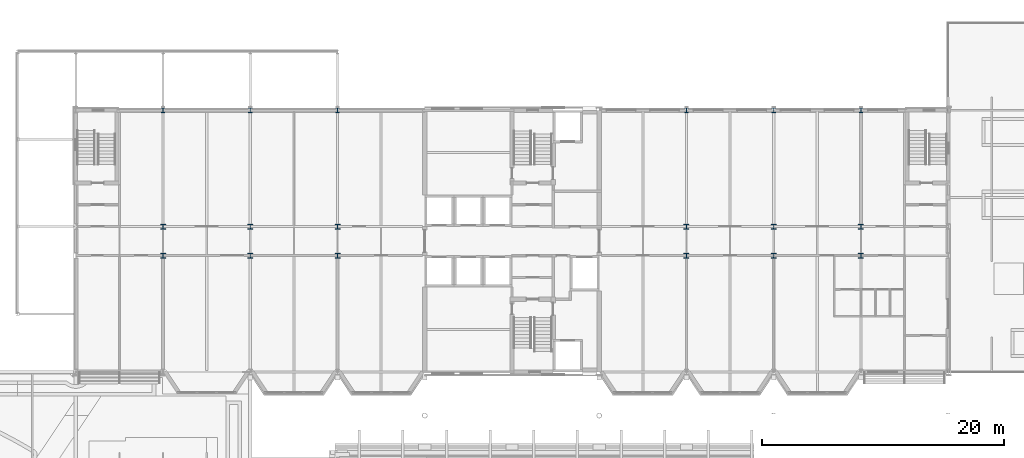
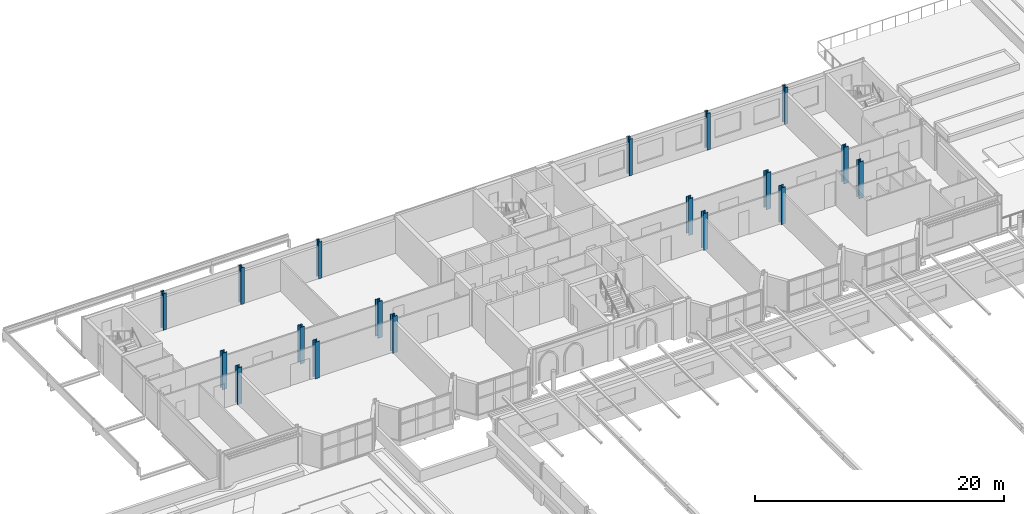
# One storey, part 10 of 110: 18 columns.
"""IFC4 building model written with IfcOpenShell, lengths in metres."""

from ifc_helpers import new_model, si_unit, direction, frame, origin, origin_2d, place, context, subcontext, project, spatial, i_section, extrude, material, material_profile, profile_set, type_object, element, save


model = new_model("IFC4")

# Units and contexts
model_context = context("Model", 3, precision=1e-05, world=origin(), true_north=direction((0.0, 1.0)))
body_context = subcontext(model_context, "Body", "Model", "MODEL_VIEW")
ifc_project = project(units=[si_unit("LENGTHUNIT", "METRE"), si_unit("AREAUNIT", "SQUARE_METRE"), si_unit("VOLUMEUNIT", "CUBIC_METRE"), si_unit("PLANEANGLEUNIT", "RADIAN"), si_unit("MASSUNIT", "GRAM", prefix="KILO")], contexts=[model_context])

# Site, building, storey
site_placement = place(None, origin())
site = spatial("IfcSite", under=ifc_project, at=site_placement, CompositionType="ELEMENT")
building_placement = place(site_placement, origin())
building = spatial("IfcBuilding", under=site, at=building_placement, Name="Kupolbacken Congress Centre", CompositionType="ELEMENT")
storey_placement = place(building_placement, frame((0.0, 0.0, 18.0)))
storey = spatial("IfcBuildingStorey", under=building, at=storey_placement, Name="L05", CompositionType="ELEMENT", Elevation=18.0)

# Columns
ifc_material_1 = material(Name="Steel S355", Category="steel")
ifc_material_profile_1 = material_profile(ifc_material_1, i_section(OverallWidth=0.408935546875, OverallDepth=0.425048828125, WebThickness=0.03271484375, FlangeThickness=0.052490234375, FilletRadius=0.014892578125, at=origin_2d()), Name="HD 400 x 421")
ifc_profile_set_1 = profile_set([ifc_material_profile_1], Name="Steel S355")
column_type_1 = type_object("IfcColumnType", Name="C01 column HD 400 x 421", PredefinedType="COLUMN", material=ifc_profile_set_1)
for number, where, z_axis, x_axis, name in (
    (1, (72.0, 132.0, 0.0), (0.0, 0.0, 1.0), (1.0, 0.0, 0.0), "S/col/C-T-11U+2400/L05"),
    (2, (72.0, 134.39990234375, 0.0), (0.0, 0.0, 1.0), (1.0, 0.0, 0.0), "S/col/C-T-11U+4800/L05"),
    (3, (79.199951171875, 132.0, 0.0), (0.0, 0.0, 1.0), (1.0, 0.0, 0.0), "S/col/C-T-12U+2400/L05"),
    (4, (79.199951171875, 134.39990234375, 0.0), (0.0, 0.0, 1.0), (1.0, 0.0, 0.0), "S/col/C-T-12U+4800/L05"),
    (5, (86.39990234375, 132.0, 0.0), (0.0, 0.0, 1.0), (1.0, 0.0, 0.0), "S/col/C-T-13U+2400/L05"),
    (6, (86.39990234375, 134.39990234375, 0.0), (0.0, 0.0, 1.0), (1.0, 0.0, 0.0), "S/col/C-T-13U+4800/L05"),
    (7, (115.199951171875, 132.0, 0.0), (0.0, 0.0, 1.0), (1.0, 0.0, 0.0), "S/col/C-T-17U+2400/L05"),
    (8, (115.199951171875, 134.39990234375, 0.0), (0.0, 0.0, 1.0), (1.0, 0.0, 0.0), "S/col/C-T-17U+4800/L05"),
    (9, (122.39990234375, 132.0, 0.0), (0.0, 0.0, 1.0), (1.0, 0.0, 0.0), "S/col/C-T-18U+2400/L05"),
    (10, (122.39990234375, 134.39990234375, 0.0), (0.0, 0.0, 1.0), (1.0, 0.0, 0.0), "S/col/C-T-18U+4800/L05"),
    (11, (129.60009765625, 132.0, 0.0), (0.0, 0.0, 1.0), (1.0, 0.0, 0.0), "S/col/C-T-19U+2400/L05"),
    (12, (129.60009765625, 134.39990234375, 0.0), (0.0, 0.0, 1.0), (1.0, 0.0, 0.0), "S/col/C-T-19U+4800/L05"),
):
    element("IfcColumn", number, at=place(storey_placement, frame(where, z_axis=z_axis, x_axis=x_axis)), inside=storey, type_object=column_type_1, Name=name, PredefinedType="COLUMN", context=body_context, shape_type="SweptSolid", body=[
        extrude(i_section(OverallWidth=0.408935546875, OverallDepth=0.425048828125, WebThickness=0.03271484375, FlangeThickness=0.052490234375, FilletRadius=0.014892578125, at=origin_2d()), origin(), (0.0, 0.0, 1.0), 3.60009765625),
    ])
ifc_material_2 = material(Name="Steel S355", Category="steel")
ifc_material_profile_2 = material_profile(ifc_material_2, i_section(OverallWidth=0.306884765625, OverallDepth=0.431884765625, WebThickness=0.02099609375, FlangeThickness=0.0400390625, FilletRadius=0.027099609375, at=origin_2d()), Name="HEM 400")
ifc_profile_set_2 = profile_set([ifc_material_profile_2], Name="Steel S355")
column_type_2 = type_object("IfcColumnType", Name="C02 column HEM 400", PredefinedType="COLUMN", material=ifc_profile_set_2)
for number, where, z_axis, x_axis, name in (
    (13, (72.0, 144.0, 0.0), (0.0, 0.0, 1.0), (1.0, 0.0, 0.0), "S/col/C-T-11W/L05"),
    (14, (79.199951171875, 144.0, 0.0), (0.0, 0.0, 1.0), (1.0, 0.0, 0.0), "S/col/C-T-12W/L05"),
    (15, (86.39990234375, 144.0, 0.0), (0.0, 0.0, 1.0), (1.0, 0.0, 0.0), "S/col/C-T-13W/L05"),
    (16, (115.199951171875, 144.0, 0.0), (0.0, 0.0, 1.0), (1.0, 0.0, 0.0), "S/col/C-T-17W/L05"),
    (17, (122.39990234375, 144.0, 0.0), (0.0, 0.0, 1.0), (1.0, 0.0, 0.0), "S/col/C-T-18W/L05"),
    (18, (129.60009765625, 144.0, 0.0), (0.0, 0.0, 1.0), (1.0, 0.0, 0.0), "S/col/C-T-19W/L05"),
):
    element("IfcColumn", number, at=place(storey_placement, frame(where, z_axis=z_axis, x_axis=x_axis)), inside=storey, type_object=column_type_2, Name=name, PredefinedType="COLUMN", context=body_context, shape_type="SweptSolid", body=[
        extrude(i_section(OverallWidth=0.306884765625, OverallDepth=0.431884765625, WebThickness=0.02099609375, FlangeThickness=0.0400390625, FilletRadius=0.027099609375, at=origin_2d()), origin(), (0.0, 0.0, 1.0), 3.60009765625),
    ])

save(model, "model.ifc")
